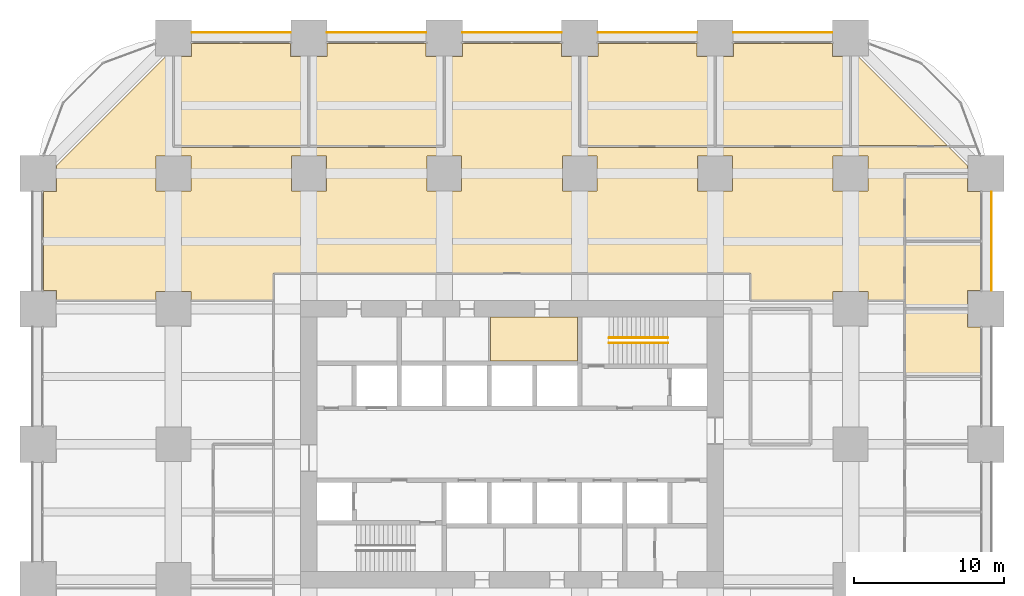
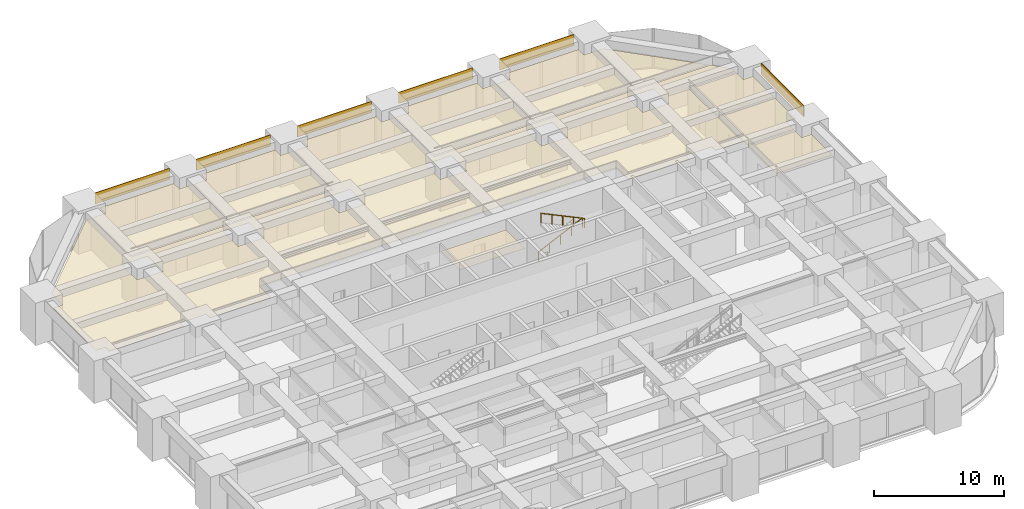
# One storey, part 45 of 45: 16 coverings, 2 railings.
"""IFC4 building model written with IfcOpenShell, lengths in metres."""

from ifc_helpers import new_model, si_unit, direction, frame, frame_2d, origin, origin_2d, place, context, subcontext, project, spatial, polyline, rectangle, circle, outline, extrude, material, layer, layer_set, type_object, element, save


model = new_model("IFC4")

# Units and contexts
model_context = context("Model", 3, precision=1e-05, world=origin(), true_north=direction((0.0, 1.0)))
body_context = subcontext(model_context, "Body", "Model", "MODEL_VIEW")
ifc_project = project(units=[si_unit("LENGTHUNIT", "METRE"), si_unit("AREAUNIT", "SQUARE_METRE"), si_unit("VOLUMEUNIT", "CUBIC_METRE"), si_unit("PLANEANGLEUNIT", "RADIAN"), si_unit("MASSUNIT", "GRAM", prefix="KILO")], contexts=[model_context])

# Site, building, storey
site_placement = place(None, origin())
site = spatial("IfcSite", under=ifc_project, at=site_placement, CompositionType="ELEMENT")
building_placement = place(site_placement, origin())
building = spatial("IfcBuilding", under=site, at=building_placement, Name="Zorevar Civic Tower", CompositionType="ELEMENT")
storey_placement = place(building_placement, frame((0.0, 0.0, 23.800048828125)))
storey = spatial("IfcBuildingStorey", under=building, at=storey_placement, Name="L05", CompositionType="ELEMENT", Elevation=23.800048828125)

# Railings
ifc_material_1 = material(Name="Black steel handrail", Category="steel")
railing_type = type_object("IfcRailingType", Name="Handrail HR1 900", PredefinedType="HANDRAIL", material=ifc_material_1)
railing_1_placement = place(storey_placement, frame((37.949951171875, 34.074951171875, 0.142822265625)))
element("IfcRailing", 1, at=railing_1_placement, inside=storey, type_object=railing_type, Name="Handrail HR1 ST2 L05", PredefinedType="HANDRAIL", context=body_context, shape_type="SweptSolid", body=[
    extrude(circle(Radius=0.02392578125, at=origin_2d()), frame((0.0, 0.0, 0.8759765625), z_axis=(0.902863652845, 0.0, 0.429926998885), x_axis=(0.0, 1.0, 0.0)), (0.0, 0.0, 1.0), 4.31982421875),
    extrude(circle(Radius=0.02099609375, at=origin_2d()), origin(), (0.0, 0.0, 1.0), 0.851806640625),
    extrude(circle(Radius=0.02099609375, at=origin_2d()), frame((0.97509765625, 0.0, 0.46435546875)), (0.0, 0.0, 1.0), 0.851806640625),
    extrude(circle(Radius=0.02099609375, at=origin_2d()), frame((1.9501953125, 0.0, 0.9287109375)), (0.0, 0.0, 1.0), 0.851806640625),
    extrude(circle(Radius=0.02099609375, at=origin_2d()), frame((2.925048828125, 0.0, 1.392822265625)), (0.0, 0.0, 1.0), 0.851806640625),
    extrude(circle(Radius=0.02099609375, at=origin_2d()), frame((3.900146484375, 0.0, 1.857177734375)), (0.0, 0.0, 1.0), 0.851806640625),
])
railing_2_placement = place(storey_placement, frame((41.85009765625, 33.72509765625, 2.142822265625)))
element("IfcRailing", 2, at=railing_2_placement, inside=storey, type_object=railing_type, Name="Handrail HR1 ST2 L05", PredefinedType="HANDRAIL", context=body_context, shape_type="SweptSolid", body=[
    extrude(circle(Radius=0.02392578125, at=origin_2d()), frame((0.0, 0.0, 0.8759765625), z_axis=(-0.902863652845, 0.0, 0.429926998885), x_axis=(0.0, -1.0, 0.0)), (0.0, 0.0, 1.0), 4.31982421875),
    extrude(circle(Radius=0.02099609375, at=origin_2d()), origin(), (0.0, 0.0, 1.0), 0.851806640625),
    extrude(circle(Radius=0.02099609375, at=origin_2d()), frame((-0.97509765625, 0.0, 0.46435546875)), (0.0, 0.0, 1.0), 0.851806640625),
    extrude(circle(Radius=0.02099609375, at=origin_2d()), frame((-1.9501953125, 0.0, 0.9287109375)), (0.0, 0.0, 1.0), 0.851806640625),
    extrude(circle(Radius=0.02099609375, at=origin_2d()), frame((-2.925048828125, 0.0, 1.392822265625)), (0.0, 0.0, 1.0), 0.851806640625),
    extrude(circle(Radius=0.02099609375, at=origin_2d()), frame((-3.900146484375, 0.0, 1.857177734375)), (0.0, 0.0, 1.0), 0.851806640625),
])

# Coverings
ifc_material_2 = material(Name="Black anodised aluminium spandrel panel", Category="aluminium")
ifc_layer_1 = layer(ifc_material_2, 0.050048828125)
ifc_layer_set_1 = layer_set([ifc_layer_1], Name="Spandrel cladding SP1")
covering_type_1 = type_object("IfcCoveringType", Name="Spandrel cladding SP1", PredefinedType="CLADDING", material=ifc_layer_set_1)
for number, where, z_axis, x_axis, name in (
    (3, (10.199951171875, 54.375, 2.949951171875), (0.0, 0.0, 1.0), (1.0, 0.0, 0.0), "Spandrel cladding L06"),
    (4, (19.199951171875, 54.375, 2.949951171875), (0.0, 0.0, 1.0), (1.0, 0.0, 0.0), "Spandrel cladding L06"),
    (5, (28.199951171875, 54.375, 2.949951171875), (0.0, 0.0, 1.0), (1.0, 0.0, 0.0), "Spandrel cladding L06"),
    (6, (37.199951171875, 54.375, 2.949951171875), (0.0, 0.0, 1.0), (1.0, 0.0, 0.0), "Spandrel cladding L06"),
    (7, (46.199951171875, 54.375, 2.949951171875), (0.0, 0.0, 1.0), (1.0, 0.0, 0.0), "Spandrel cladding L06"),
    (8, (63.375, 37.199951171875, 2.949951171875), (0.0, 0.0, 1.0), (0.0, 1.0, 0.0), "Spandrel cladding L06"),
):
    element("IfcCovering", number, at=place(storey_placement, frame(where, z_axis=z_axis, x_axis=x_axis)), inside=storey, type_object=covering_type_1, Name=name, PredefinedType="CLADDING", context=body_context, shape_type="SweptSolid", body=[
        extrude(rectangle(XDim=6.60009765625, YDim=0.050048828125, at=frame_2d((3.300048828125, 0.0))), origin(), (0.0, 0.0, 1.0), 1.050048828125),
    ])
ifc_material_3 = material(Name="Mineral fibre tiles on a concealed grid")
ifc_layer_2 = layer(ifc_material_3, 0.02001953125)
ifc_layer_set_2 = layer_set([ifc_layer_2], Name="Suspended ceiling SC1")
covering_type_2 = type_object("IfcCoveringType", Name="Suspended ceiling SC1", PredefinedType="CEILING", material=ifc_layer_set_2)
covering_1_placement = place(storey_placement, frame((0.0, 0.0, 3.0)))
element("IfcCovering", 9, at=covering_1_placement, inside=storey, type_object=covering_type_2, Name="Ceiling L05-08", PredefinedType="CEILING", context=body_context, shape_type="SweptSolid", body=[
    extrude(outline(polyline([(35.85009765625, 32.550048828125), (35.85009765625, 35.449951171875), (30.06005859375, 35.449951171875), (30.06005859375, 32.550048828125), (35.85009765625, 32.550048828125)])), origin(), (0.0, 0.0, 1.0), 0.02001953125),
])
covering_2_placement = place(storey_placement, frame((0.0, 0.0, 3.0)))
element("IfcCovering", 10, at=covering_2_placement, inside=storey, type_object=covering_type_2, Name="Ceiling L05-30", PredefinedType="CEILING", context=body_context, shape_type="SweptSolid", body=[
    extrude(outline(polyline([(10.2099609375, 52.7900390625), (10.2099609375, 53.64990234375), (16.7900390625, 53.64990234375), (16.7900390625, 52.7900390625), (17.93994140625, 52.7900390625), (17.93994140625, 46.860107421875), (9.06005859375, 46.860107421875), (9.06005859375, 52.7900390625), (10.2099609375, 52.7900390625)])), origin(), (0.0, 0.0, 1.0), 0.02001953125),
])
covering_3_placement = place(storey_placement, frame((0.0, 0.0, 3.0)))
element("IfcCovering", 11, at=covering_3_placement, inside=storey, type_object=covering_type_2, Name="Ceiling L05-31", PredefinedType="CEILING", context=body_context, shape_type="SweptSolid", body=[
    extrude(outline(polyline([(19.2099609375, 52.7900390625), (19.2099609375, 53.64990234375), (25.7900390625, 53.64990234375), (25.7900390625, 52.7900390625), (26.93994140625, 52.7900390625), (26.93994140625, 46.860107421875), (18.06005859375, 46.860107421875), (18.06005859375, 52.7900390625), (19.2099609375, 52.7900390625)])), origin(), (0.0, 0.0, 1.0), 0.02001953125),
])
covering_4_placement = place(storey_placement, frame((0.0, 0.0, 3.0)))
element("IfcCovering", 12, at=covering_4_placement, inside=storey, type_object=covering_type_2, Name="Ceiling L05-32", PredefinedType="CEILING", context=body_context, shape_type="SweptSolid", body=[
    extrude(outline(polyline([(37.2099609375, 52.7900390625), (37.2099609375, 53.64990234375), (43.7900390625, 53.64990234375), (43.7900390625, 52.7900390625), (44.93994140625, 52.7900390625), (44.93994140625, 46.860107421875), (36.06005859375, 46.860107421875), (36.06005859375, 52.7900390625), (37.2099609375, 52.7900390625)])), origin(), (0.0, 0.0, 1.0), 0.02001953125),
])
covering_5_placement = place(storey_placement, frame((0.0, 0.0, 3.0)))
element("IfcCovering", 13, at=covering_5_placement, inside=storey, type_object=covering_type_2, Name="Ceiling L05-33", PredefinedType="CEILING", context=body_context, shape_type="SweptSolid", body=[
    extrude(outline(polyline([(46.2099609375, 52.7900390625), (46.2099609375, 53.64990234375), (52.7900390625, 53.64990234375), (52.7900390625, 52.7900390625), (53.93994140625, 52.7900390625), (53.93994140625, 46.860107421875), (45.06005859375, 46.860107421875), (45.06005859375, 52.7900390625), (46.2099609375, 52.7900390625)])), origin(), (0.0, 0.0, 1.0), 0.02001953125),
])
covering_6_placement = place(storey_placement, frame((0.0, 0.0, 3.0)))
element("IfcCovering", 14, at=covering_6_placement, inside=storey, type_object=covering_type_2, Name="Ceiling L05-40", PredefinedType="CEILING", context=body_context, shape_type="SweptSolid", body=[
    extrude(outline(polyline([(57.659912109375, 35.93994140625), (61.7900390625, 35.93994140625), (61.7900390625, 34.7900390625), (62.64990234375, 34.7900390625), (62.64990234375, 31.56005859375), (57.659912109375, 31.56005859375), (57.659912109375, 35.93994140625)])), origin(), (0.0, 0.0, 1.0), 0.02001953125),
])
covering_7_placement = place(storey_placement, frame((0.0, 0.0, 3.0)))
element("IfcCovering", 15, at=covering_7_placement, inside=storey, type_object=covering_type_2, Name="Ceiling L05-41", PredefinedType="CEILING", context=body_context, shape_type="SweptSolid", body=[
    extrude(outline(polyline([(57.659912109375, 40.43994140625), (62.64990234375, 40.43994140625), (62.64990234375, 37.2099609375), (61.7900390625, 37.2099609375), (61.7900390625, 36.06005859375), (57.659912109375, 36.06005859375), (57.659912109375, 40.43994140625)])), origin(), (0.0, 0.0, 1.0), 0.02001953125),
])
covering_8_placement = place(storey_placement, frame((0.0, 0.0, 3.0)))
element("IfcCovering", 16, at=covering_8_placement, inside=storey, type_object=covering_type_2, Name="Ceiling L05-42", PredefinedType="CEILING", context=body_context, shape_type="SweptSolid", body=[
    extrude(outline(polyline([(57.659912109375, 44.93994140625), (61.7900390625, 44.93994140625), (61.7900390625, 43.7900390625), (62.64990234375, 43.7900390625), (62.64990234375, 40.56005859375), (57.659912109375, 40.56005859375), (57.659912109375, 44.93994140625)])), origin(), (0.0, 0.0, 1.0), 0.02001953125),
])
covering_9_placement = place(storey_placement, frame((0.0, 0.0, 3.0)))
element("IfcCovering", 17, at=covering_9_placement, inside=storey, type_object=covering_type_2, Name="Ceiling L05-44", PredefinedType="CEILING", context=body_context, shape_type="SweptSolid", body=[
    extrude(outline(polyline([(54.06005859375, 46.85009765625), (54.06005859375, 52.7900390625), (54.5029296875, 52.7900390625), (60.44287109375, 46.85009765625), (54.06005859375, 46.85009765625)])), origin(), (0.0, 0.0, 1.0), 0.02001953125),
])
covering_10_placement = place(storey_placement, frame((0.0, 0.0, 3.0)))
element("IfcCovering", 18, at=covering_10_placement, inside=storey, type_object=covering_type_2, Name="Ceiling L05-47", PredefinedType="CEILING", context=body_context, shape_type="SweptSolid", body=[
    extrude(outline(polyline([(61.7900390625, 45.5029296875), (61.7900390625, 45.06005859375), (57.60009765625, 45.06005859375), (57.60009765625, 45.0), (57.5400390625, 45.0), (57.5400390625, 36.60009765625), (55.159912109375, 36.60009765625), (55.159912109375, 37.159912109375), (52.840087890625, 37.159912109375), (52.840087890625, 36.60009765625), (47.39990234375, 36.60009765625), (47.39990234375, 38.35009765625), (47.35009765625, 38.35009765625), (47.35009765625, 38.39990234375), (15.64990234375, 38.39990234375), (15.64990234375, 38.35009765625), (15.60009765625, 38.35009765625), (15.60009765625, 36.60009765625), (10.159912109375, 36.60009765625), (10.159912109375, 37.159912109375), (7.840087890625, 37.159912109375), (7.840087890625, 36.60009765625), (1.2099609375, 36.60009765625), (1.2099609375, 37.2099609375), (0.35009765625, 37.2099609375), (0.35009765625, 43.7900390625), (1.2099609375, 43.7900390625), (1.2099609375, 45.5029296875), (8.4970703125, 52.7900390625), (8.93994140625, 52.7900390625), (8.93994140625, 46.800048828125), (9.0, 46.800048828125), (9.0, 46.739990234375), (27.0, 46.739990234375), (27.0, 46.800048828125), (27.06005859375, 46.800048828125), (27.06005859375, 52.7900390625), (28.2099609375, 52.7900390625), (28.2099609375, 53.64990234375), (34.7900390625, 53.64990234375), (34.7900390625, 52.7900390625), (35.93994140625, 52.7900390625), (35.93994140625, 46.800048828125), (36.0, 46.800048828125), (36.0, 46.739990234375), (54.0, 46.739990234375), (54.0, 46.75), (60.54296875, 46.75), (61.7900390625, 45.5029296875)]), holes=[polyline([(10.159912109375, 46.159912109375), (7.840087890625, 46.159912109375), (7.840087890625, 43.840087890625), (10.159912109375, 43.840087890625), (10.159912109375, 46.159912109375)]), polyline([(16.840087890625, 43.840087890625), (19.159912109375, 43.840087890625), (19.159912109375, 46.159912109375), (16.840087890625, 46.159912109375), (16.840087890625, 43.840087890625)]), polyline([(25.840087890625, 46.159912109375), (25.840087890625, 43.840087890625), (28.159912109375, 43.840087890625), (28.159912109375, 46.159912109375), (25.840087890625, 46.159912109375)]), polyline([(37.159912109375, 43.840087890625), (37.159912109375, 46.159912109375), (34.840087890625, 46.159912109375), (34.840087890625, 43.840087890625), (37.159912109375, 43.840087890625)]), polyline([(43.840087890625, 46.159912109375), (43.840087890625, 43.840087890625), (46.159912109375, 43.840087890625), (46.159912109375, 46.159912109375), (43.840087890625, 46.159912109375)]), polyline([(55.159912109375, 43.840087890625), (55.159912109375, 46.159912109375), (52.840087890625, 46.159912109375), (52.840087890625, 43.840087890625), (55.159912109375, 43.840087890625)])]), origin(), (0.0, 0.0, 1.0), 0.02001953125),
])

save(model, "model.ifc")
